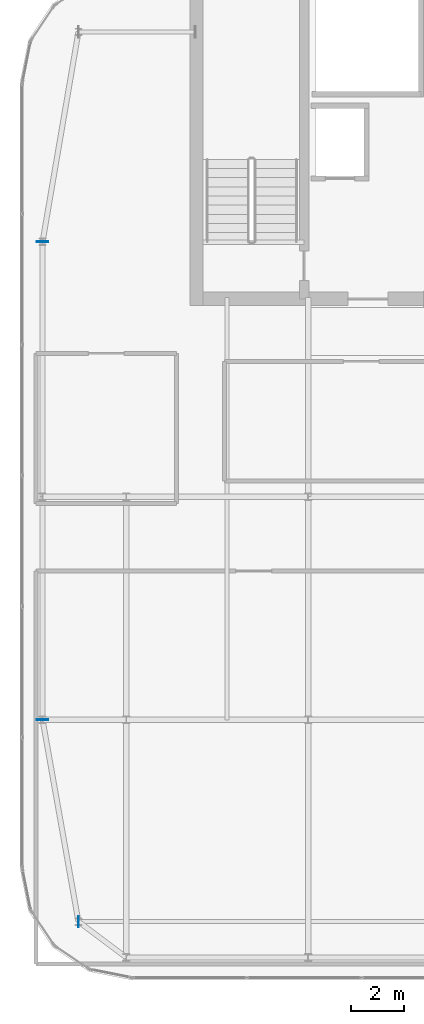
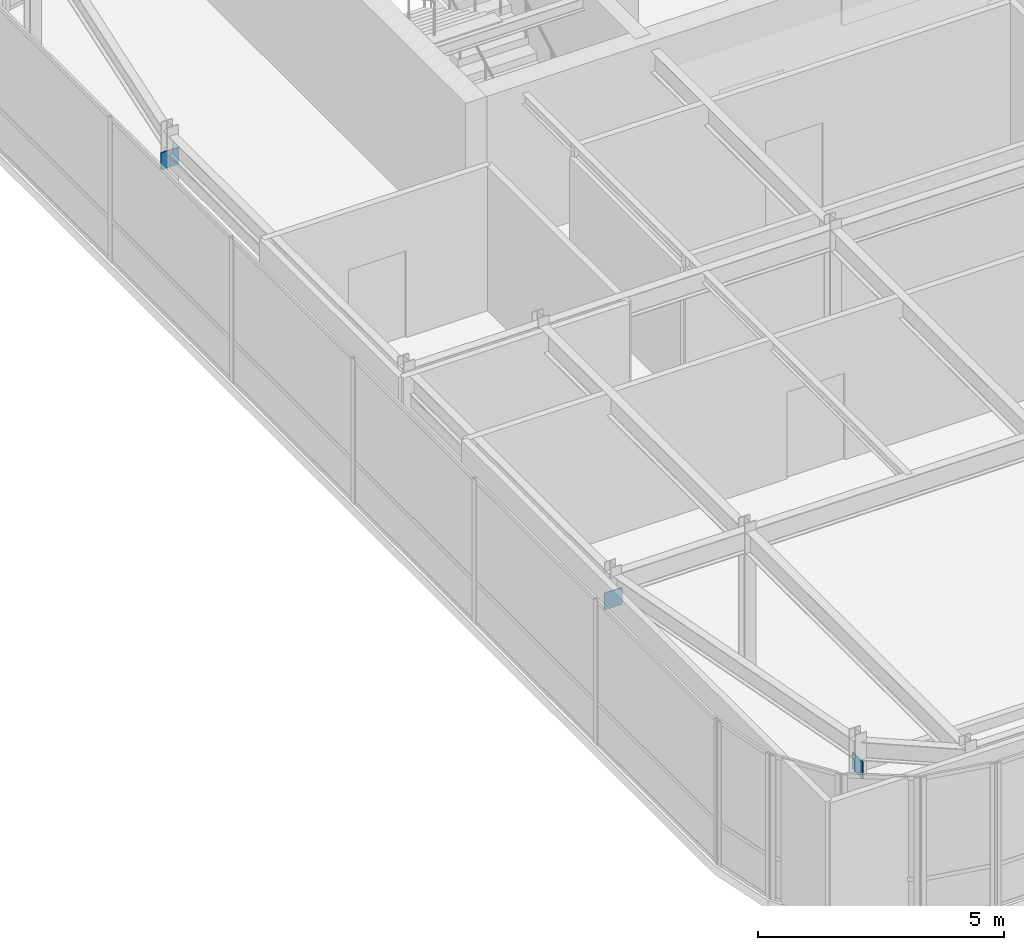
# One storey, part 31 of 36: 3 plates.
"""IFC4 building model written with IfcOpenShell, lengths in metres."""

from ifc_helpers import new_model, si_unit, direction, frame, origin, origin_2d, place, context, subcontext, project, spatial, rectangle, extrude, source, transform, mapped, material, layer, layer_set, type_object, type_shapes, element, save


model = new_model("IFC4")

# Units and contexts
model_context = context("Model", 3, precision=1e-05, world=origin(), true_north=direction((0.0, 1.0)))
body_context = subcontext(model_context, "Body", "Model", "MODEL_VIEW")
ifc_project = project(units=[si_unit("LENGTHUNIT", "METRE"), si_unit("AREAUNIT", "SQUARE_METRE"), si_unit("VOLUMEUNIT", "CUBIC_METRE"), si_unit("PLANEANGLEUNIT", "RADIAN"), si_unit("MASSUNIT", "GRAM", prefix="KILO")], contexts=[model_context])

# Site, building, storey
site_placement = place(None, origin())
site = spatial("IfcSite", under=ifc_project, at=site_placement, CompositionType="ELEMENT")
building_placement = place(site_placement, origin())
building = spatial("IfcBuilding", under=site, at=building_placement, Name="Tolvann Quenvar Hotel", CompositionType="ELEMENT")
storey_placement = place(building_placement, frame((0.0, 0.0, 298.550048828125)))
storey = spatial("IfcBuildingStorey", under=building, at=storey_placement, Name="L79", CompositionType="ELEMENT", Elevation=298.550048828125)

# Plates
ifc_material = material(Name="Steel Grade 350", Category="steel")
ifc_layer = layer(ifc_material, 0.02490234375)
ifc_layer_set = layer_set([ifc_layer], Name="Steel Grade 350")
plate_type = type_object("IfcPlateType", Name="PLT_ENDCAP_25", PredefinedType="SHEET", material=ifc_layer_set)
shared_shape_1 = source(origin(), body_context, "Body", "SweptSolid", [
    extrude(rectangle(XDim=0.02490234375, YDim=0.419921875, at=origin_2d()), origin(), (0.0, 0.0, 1.0), 0.419921875),
])
plate_placement = place(storey_placement, frame((5.800048828125, 8.39990234375, 2.719970703125), z_axis=(0.0, 0.0, 1.0), x_axis=(1.0, 0.0, 0.0)))
element("IfcPlate", 1, at=plate_placement, inside=storey, type_object=plate_type, Name="Crown Ring End Cap Plate EC-1 (L79-1-1)", PredefinedType="SHEET", context=body_context, shape_type="MappedRepresentation", body=[
    mapped(shared_shape_1, transform((0.0, 0.0, 0.0), x_axis=(1.0, 0.0, 0.0), y_axis=(0.0, 1.0, 0.0), z_axis=(0.0, 0.0, 1.0), scale=1.0)),
])
shared_shape_2 = source(origin(), body_context, "Body", "SweptSolid", [
    extrude(rectangle(XDim=0.419921875, YDim=0.02490234375, at=origin_2d()), origin(), (0.0, 0.0, 1.0), 0.419921875),
])
type_shapes(plate_type, [shared_shape_1, shared_shape_2])
for number, where, z_axis, x_axis, name in (
    (2, (4.449951171875, 16.0, 2.719970703125), (0.0, 0.0, 1.0), (1.0, 0.0, 0.0), "Crown Ring End Cap Plate EC-1 (L79-2-1)"),
    (3, (4.449951171875, 34.0, 2.719970703125), (0.0, 0.0, 1.0), (1.0, 0.0, 0.0), "Crown Ring End Cap Plate EC-1 (L79-2-2)"),
):
    element("IfcPlate", number, at=place(storey_placement, frame(where, z_axis=z_axis, x_axis=x_axis)), inside=storey, type_object=plate_type, Name=name, PredefinedType="SHEET", context=body_context, shape_type="MappedRepresentation", body=[
        mapped(shared_shape_2, transform((0.0, 0.0, 0.0), x_axis=(1.0, 0.0, 0.0), y_axis=(0.0, 1.0, 0.0), z_axis=(0.0, 0.0, 1.0), scale=1.0)),
    ])

save(model, "model.ifc")
